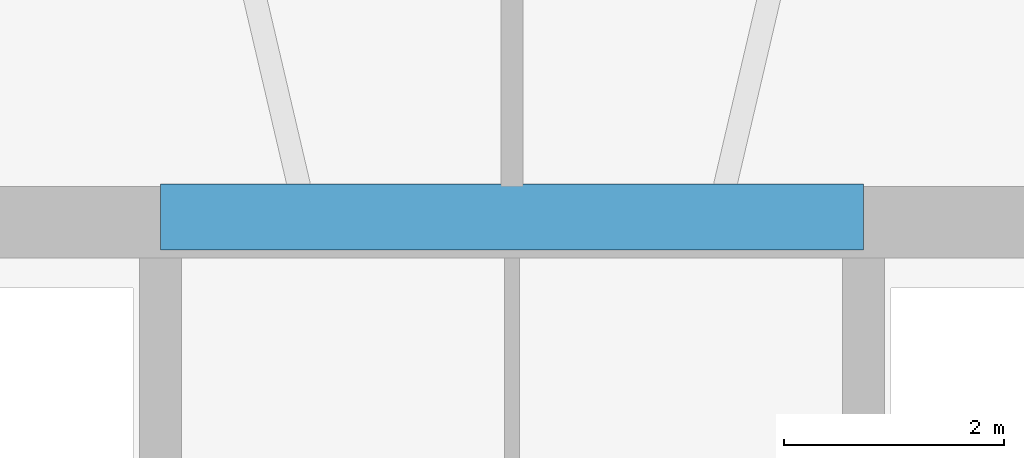
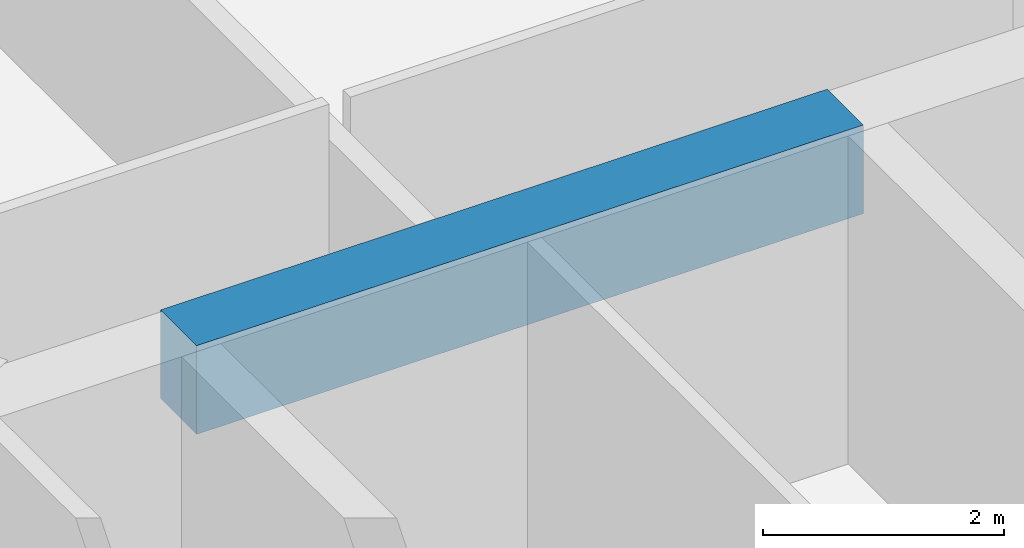
# One storey, part 8 of 26: 1 beam.
"""IFC4 building model written with IfcOpenShell, lengths in metres."""

from ifc_helpers import new_model, si_unit, direction, frame, origin, origin_2d, place, context, subcontext, project, spatial, rectangle, extrude, material, material_profile, profile_set, type_object, element, save


model = new_model("IFC4")

# Units and contexts
model_context = context("Model", 3, precision=1e-05, world=origin(), true_north=direction((-0.2419218956, 0.970295726276)))
body_context = subcontext(model_context, "Body", "Model", "MODEL_VIEW")
ifc_project = project(units=[si_unit("LENGTHUNIT", "METRE"), si_unit("AREAUNIT", "SQUARE_METRE"), si_unit("VOLUMEUNIT", "CUBIC_METRE"), si_unit("PLANEANGLEUNIT", "RADIAN"), si_unit("MASSUNIT", "GRAM", prefix="KILO")], contexts=[model_context])

# Site, building, storey
site_placement = place(None, origin())
site = spatial("IfcSite", under=ifc_project, at=site_placement, CompositionType="ELEMENT")
building_placement = place(site_placement, origin())
building = spatial("IfcBuilding", under=site, at=building_placement, Name="Cobrevalo Terracotta Tower", CompositionType="ELEMENT")
storey_placement = place(building_placement, frame((0.0, 0.0, 167.800048828125)))
storey = spatial("IfcBuildingStorey", under=building, at=storey_placement, Name="L44", CompositionType="ELEMENT", Elevation=167.800048828125)

# Beam
ifc_material = material(Name="Concrete C60", Category="concrete")
ifc_material_profile = material_profile(ifc_material, rectangle(XDim=0.60009765625, YDim=0.89990234375, at=origin_2d()), Name="RC CB 600x900")
ifc_profile_set = profile_set([ifc_material_profile], Name="Concrete C60")
beam_type = type_object("IfcBeamType", Name="Structural Beam RC CB 600x900 (Concrete C60)", PredefinedType="BEAM", material=ifc_profile_set)
beam_placement = place(storey_placement, frame((34.800048828125, 34.800048828125, 2.8798828125), z_axis=(1.0, 0.0, 0.0), x_axis=(0.0, 1.0, 0.0)))
element("IfcBeam", 1, at=beam_placement, inside=storey, type_object=beam_type, Name="L44 core coupling beam 2", PredefinedType="BEAM", context=body_context, shape_type="SweptSolid", body=[
    extrude(rectangle(XDim=0.60009765625, YDim=0.89990234375, at=origin_2d()), origin(), (0.0, 0.0, 1.0), 6.39990234375),
])

save(model, "model.ifc")
